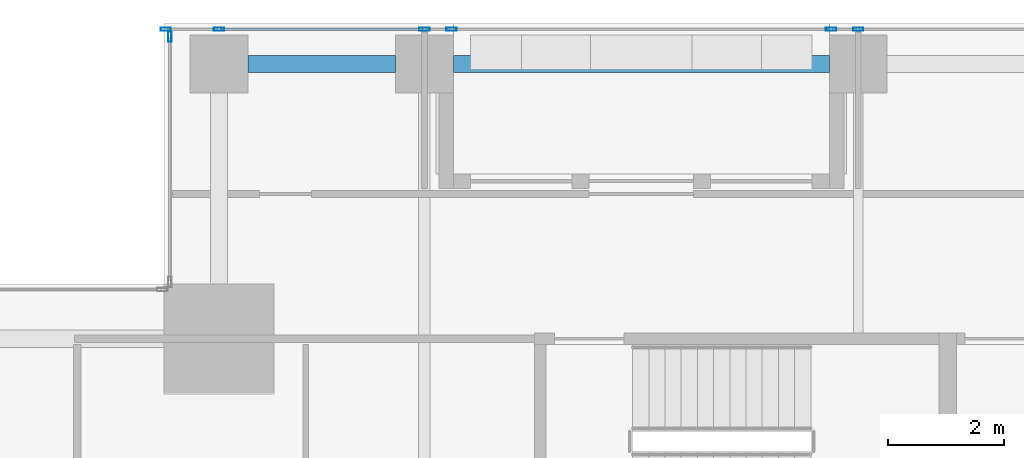
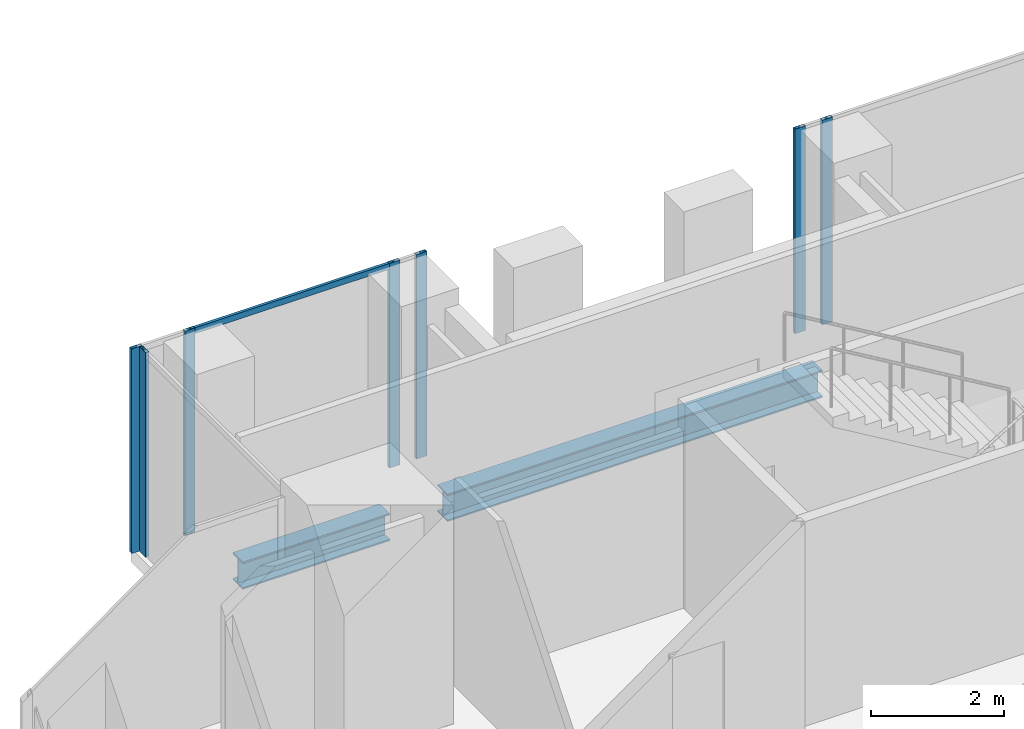
# One storey, part 23 of 38: 8 members, 2 beams, 3 elements without a shape of their own.
"""IFC4 building model written with IfcOpenShell, lengths in metres."""

from ifc_helpers import new_model, si_unit, direction, frame, origin, origin_2d, place, context, subcontext, project, spatial, hollow_rectangle, i_section, extrude, source, transform, mapped, material, material_profile, profile_set, type_object, element, aggregate, save


model = new_model("IFC4")

# Units and contexts
model_context = context("Model", 3, precision=1e-05, world=origin(), true_north=direction((0.0, 1.0)))
body_context = subcontext(model_context, "Body", "Model", "MODEL_VIEW")
ifc_project = project(units=[si_unit("LENGTHUNIT", "METRE"), si_unit("AREAUNIT", "SQUARE_METRE"), si_unit("VOLUMEUNIT", "CUBIC_METRE"), si_unit("PLANEANGLEUNIT", "RADIAN"), si_unit("MASSUNIT", "GRAM", prefix="KILO")], contexts=[model_context])

# Site, building, storey
site_placement = place(None, origin())
site = spatial("IfcSite", under=ifc_project, at=site_placement, CompositionType="ELEMENT")
building_placement = place(site_placement, origin())
building = spatial("IfcBuilding", under=site, at=building_placement, Name="Khomas Fold Tower", CompositionType="ELEMENT")
storey_placement = place(building_placement, frame((0.0, 0.0, 172.699951171875)))
storey = spatial("IfcBuildingStorey", under=building, at=storey_placement, Name="L37", CompositionType="ELEMENT", Elevation=172.699951171875)

# Beams
ifc_material_1 = material(Name="Steel S355", Category="steel")
ifc_material_profile_1 = material_profile(ifc_material_1, i_section(OverallWidth=0.300048828125, OverallDepth=0.5, WebThickness=0.014404296875, FlangeThickness=0.028076171875, at=origin_2d()), Name="HE 500 B")
ifc_profile_set_1 = profile_set([ifc_material_profile_1], Name="Steel S355")
beam_type = type_object("IfcBeamType", Name="HE 500 B spandrel SB3", PredefinedType="SPANDREL", material=ifc_profile_set_1)
shared_shape_1 = source(origin(), body_context, "Body", "SweptSolid", [
    extrude(i_section(OverallWidth=0.300048828125, OverallDepth=0.5, WebThickness=0.014404296875, FlangeThickness=0.028076171875, at=origin_2d()), origin(), (0.0, 0.0, 1.0), 2.550048828125),
])
beam_1_placement = place(storey_placement, frame((8.949951171875, 50.300048828125, -0.5), z_axis=(1.0, 0.0, 0.0), x_axis=(0.0, 1.0, 0.0)))
element("IfcBeam", 1, at=beam_1_placement, inside=storey, type_object=beam_type, Name="SB3", PredefinedType="SPANDREL", context=body_context, shape_type="MappedRepresentation", body=[
    mapped(shared_shape_1, transform((0.0, 0.0, 0.0))),
])
shared_shape_2 = source(origin(), body_context, "Body", "SweptSolid", [
    extrude(i_section(OverallWidth=0.300048828125, OverallDepth=0.5, WebThickness=0.014404296875, FlangeThickness=0.028076171875, at=origin_2d()), origin(), (0.0, 0.0, 1.0), 6.5),
])
beam_2_placement = place(storey_placement, frame((12.5, 50.300048828125, -0.5), z_axis=(1.0, 0.0, 0.0), x_axis=(0.0, 1.0, 0.0)))
element("IfcBeam", 2, at=beam_2_placement, inside=storey, type_object=beam_type, Name="SB3", PredefinedType="SPANDREL", context=body_context, shape_type="MappedRepresentation", body=[
    mapped(shared_shape_2, transform((0.0, 0.0, 0.0))),
])

# Curtain wall, members
ifc_material_2 = material(Name="Aluminium framed double glazing", Category="aluminium")
curtain_wall_type = type_object("IfcCurtainWallType", Name="SK-Unitised clear-glass wall, office floors CW2", PredefinedType="NOTDEFINED", material=ifc_material_2)
curtain_wall_1_placement = place(storey_placement, origin())
curtain_wall_1 = element("IfcCurtainWall", 3, at=curtain_wall_1_placement, inside=storey, type_object=curtain_wall_type, Name="CW2 run L37 15-0", PredefinedType="NOTDEFINED")
ifc_material_3 = material(Name="Aluminium", Category="aluminium")
ifc_material_profile_2 = material_profile(ifc_material_3, hollow_rectangle(XDim=0.06005859375, YDim=0.179931640625, WallThickness=0.00390625, at=origin_2d()), Name="SK-Unitised clear-glass wall, office floors mullion CW2-M")
ifc_profile_set_2 = profile_set([ifc_material_profile_2], Name="Aluminium")
member_type_1 = type_object("IfcMemberType", Name="SK-Unitised clear-glass wall, office floors mullion CW2-M", PredefinedType="MULLION", material=ifc_profile_set_2)
shared_shape_3 = source(origin(), body_context, "Body", "SweptSolid", [
    extrude(hollow_rectangle(XDim=0.06005859375, YDim=0.179931640625, WallThickness=0.00390625, at=origin_2d()), origin(), (0.0, 0.0, 1.0), 3.75),
])
member_1_placement = place(storey_placement, frame((19.5, 50.89990234375, 0.0), z_axis=(0.0, 0.0, 1.0), x_axis=(0.0, -1.0, 0.0)))
member_1 = element("IfcMember", 4, at=member_1_placement, type_object=member_type_1, Name="CW2 mullion 3", PredefinedType="MULLION", context=body_context, shape_type="MappedRepresentation", body=[
    mapped(shared_shape_3, transform((0.0, 0.0, 0.0))),
])
member_2_placement = place(storey_placement, frame((19.030029296875, 50.89990234375, 0.0), z_axis=(0.0, 0.0, 1.0), x_axis=(0.0, -1.0, 0.0)))
member_2 = element("IfcMember", 5, at=member_2_placement, type_object=member_type_1, Name="CW2 mullion 4", PredefinedType="MULLION", context=body_context, shape_type="MappedRepresentation", body=[
    mapped(shared_shape_3, transform((0.0, 0.0, 0.0))),
])
aggregate(curtain_wall_1, [member_1, member_2])

curtain_wall_2_placement = place(storey_placement, origin())
curtain_wall_2 = element("IfcCurtainWall", 6, at=curtain_wall_2_placement, inside=storey, type_object=curtain_wall_type, Name="CW2 run L37 15-1", PredefinedType="NOTDEFINED")
member_3_placement = place(storey_placement, frame((12.469970703125, 50.89990234375, 0.0), z_axis=(0.0, 0.0, 1.0), x_axis=(0.0, -1.0, 0.0)))
member_3 = element("IfcMember", 7, at=member_3_placement, type_object=member_type_1, Name="CW2 mullion 1", PredefinedType="MULLION", context=body_context, shape_type="MappedRepresentation", body=[
    mapped(shared_shape_3, transform((0.0, 0.0, 0.0))),
])
member_4_placement = place(storey_placement, frame((12.0, 50.89990234375, 0.0), z_axis=(0.0, 0.0, 1.0), x_axis=(0.0, -1.0, 0.0)))
member_4 = element("IfcMember", 8, at=member_4_placement, type_object=member_type_1, Name="CW2 mullion 2", PredefinedType="MULLION", context=body_context, shape_type="MappedRepresentation", body=[
    mapped(shared_shape_3, transform((0.0, 0.0, 0.0))),
])
member_5_placement = place(storey_placement, frame((8.449951171875, 50.89990234375, 0.0), z_axis=(0.0, 0.0, 1.0), x_axis=(0.0, -1.0, 0.0)))
member_5 = element("IfcMember", 9, at=member_5_placement, type_object=member_type_1, Name="CW2 mullion 3", PredefinedType="MULLION", context=body_context, shape_type="MappedRepresentation", body=[
    mapped(shared_shape_3, transform((0.0, 0.0, 0.0))),
])
member_6_placement = place(storey_placement, frame((7.530029296875, 50.89990234375, 0.0), z_axis=(0.0, 0.0, 1.0), x_axis=(0.0, -1.0, 0.0)))
member_6 = element("IfcMember", 10, at=member_6_placement, type_object=member_type_1, Name="CW2 mullion 4", PredefinedType="MULLION", context=body_context, shape_type="MappedRepresentation", body=[
    mapped(shared_shape_3, transform((0.0, 0.0, 0.0))),
])

# Curtain wall, member
curtain_wall_3_placement = place(storey_placement, origin())
curtain_wall_3 = element("IfcCurtainWall", 11, at=curtain_wall_3_placement, inside=storey, type_object=curtain_wall_type, Name="CW2 corner return L37 16", PredefinedType="NOTDEFINED")
member_7_placement = place(storey_placement, frame((7.60009765625, 50.77001953125, 0.0), z_axis=(0.0, 0.0, 1.0), x_axis=(1.0, 0.0, 0.0)))
member_7 = element("IfcMember", 12, at=member_7_placement, type_object=member_type_1, Name="CW2 mullion 1", PredefinedType="MULLION", context=body_context, shape_type="MappedRepresentation", body=[
    mapped(shared_shape_3, transform((0.0, 0.0, 0.0))),
])
aggregate(curtain_wall_3, [member_7])

# Member
ifc_material_4 = material(Name="Aluminium", Category="aluminium")
ifc_material_profile_3 = material_profile(ifc_material_4, hollow_rectangle(XDim=0.050048828125, YDim=0.110107421875, WallThickness=0.00390625, at=origin_2d()), Name="SK-Unitised clear-glass wall, office floors transom CW2-T")
ifc_profile_set_3 = profile_set([ifc_material_profile_3], Name="Aluminium")
member_type_2 = type_object("IfcMemberType", Name="SK-Unitised clear-glass wall, office floors transom CW2-T", PredefinedType="USERDEFINED", material=ifc_profile_set_3)
shared_shape_4 = source(origin(), body_context, "Body", "SweptSolid", [
    extrude(hollow_rectangle(XDim=0.050048828125, YDim=0.110107421875, WallThickness=0.00390625, at=origin_2d()), origin(), (0.0, 0.0, 1.0), 3.489990234375),
])
member_8_placement = place(storey_placement, frame((11.969970703125, 50.89990234375, 3.695068359375), z_axis=(-1.0, 0.0, 0.0), x_axis=(0.0, -1.0, 0.0)))
member_8 = element("IfcMember", 13, at=member_8_placement, type_object=member_type_2, Name="CW2 transom 2", ObjectType="TRANSOM", PredefinedType="USERDEFINED", context=body_context, shape_type="MappedRepresentation", body=[
    mapped(shared_shape_4, transform((0.0, 0.0, 0.0))),
])

aggregate(curtain_wall_2, [member_3, member_4, member_5, member_6, member_8])

save(model, "model.ifc")
